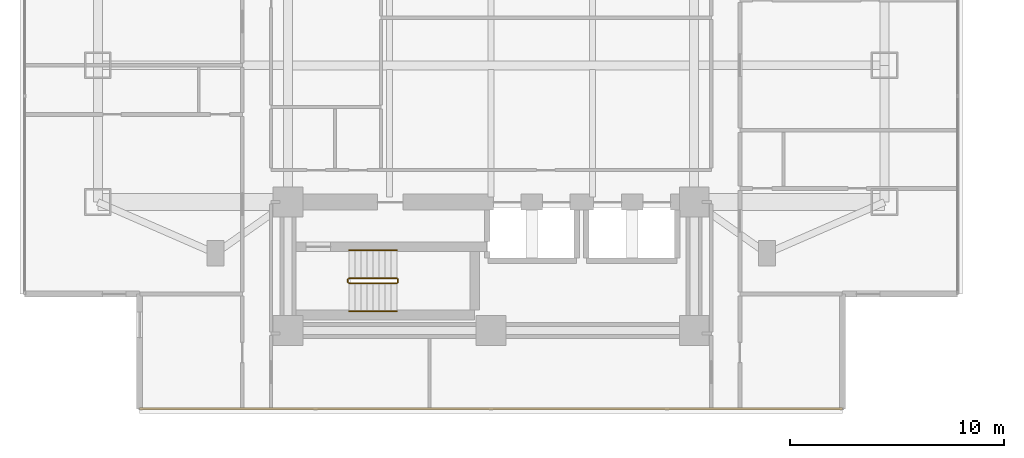
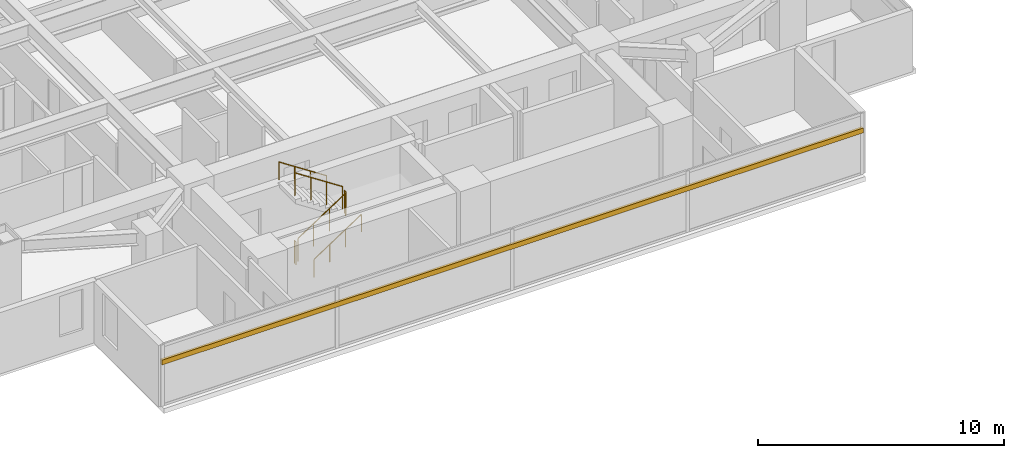
# One storey, part 21 of 25: 6 railings, 1 shading device.
"""IFC4 building model written with IfcOpenShell, lengths in metres."""

from ifc_helpers import new_model, si_unit, direction, frame, origin, origin_2d, place, context, subcontext, project, spatial, rectangle, circle, extrude, material, material_profile, profile_set, type_object, element, save


model = new_model("IFC4")

# Units and contexts
model_context = context("Model", 3, precision=1e-05, world=origin(), true_north=direction((0.0, 1.0)))
body_context = subcontext(model_context, "Body", "Model", "MODEL_VIEW")
ifc_project = project(units=[si_unit("LENGTHUNIT", "METRE"), si_unit("AREAUNIT", "SQUARE_METRE"), si_unit("VOLUMEUNIT", "CUBIC_METRE"), si_unit("PLANEANGLEUNIT", "RADIAN"), si_unit("MASSUNIT", "GRAM", prefix="KILO")], contexts=[model_context])

# Site, building, storey
site_placement = place(None, origin())
site = spatial("IfcSite", under=ifc_project, at=site_placement, CompositionType="ELEMENT")
building_placement = place(site_placement, origin())
building = spatial("IfcBuilding", under=site, at=building_placement, Name="Mirazonda Arch Towers", CompositionType="ELEMENT")
storey_placement = place(building_placement, frame((0.0, 0.0, 32.300048828125)))
storey = spatial("IfcBuildingStorey", under=building, at=storey_placement, Name="L08", CompositionType="ELEMENT", Elevation=32.300048828125)

# Shading device
ifc_material_1 = material(Name="Kiln-Fired Architectural Terracotta", Category="masonry")
ifc_material_profile = material_profile(ifc_material_1, rectangle(XDim=0.1201171875, YDim=0.239990234375, at=origin_2d()), Name="TERRA-BAG-120x240")
ifc_profile_set = profile_set([ifc_material_profile], Name="Kiln-Fired Architectural Terracotta")
shading_device_type = type_object("IfcShadingDeviceType", Name="BAGUETTE-1", PredefinedType="USERDEFINED", material=ifc_profile_set)
shading_device_placement = place(storey_placement, frame((36.93994140625, 8.72607421875, 2.188720703125), z_axis=(-1.0, 0.0, 0.0), x_axis=(0.0, -1.0, 0.0)))
element("IfcShadingDevice", 1, at=shading_device_placement, inside=storey, type_object=shading_device_type, Name="L08 Glazed Terracotta Sun-Screen Baguette CW-L08-T1-S", ObjectType="BAGUETTE", PredefinedType="USERDEFINED", context=body_context, shape_type="SweptSolid", body=[
    extrude(rectangle(XDim=0.1201171875, YDim=0.239990234375, at=origin_2d()), origin(), (0.0, 0.0, 1.0), 32.8798828125),
])

# Railings
ifc_material_2 = material(Name="Architectural Brushed Steel S355", Category="steel")
railing_type_1 = type_object("IfcRailingType", Name="GUARD-STAIR-1120", PredefinedType="GUARDRAIL", material=ifc_material_2)
railing_1_placement = place(storey_placement, frame((13.85009765625, 14.60009765625, 0.183349609375)))
element("IfcRailing", 2, at=railing_1_placement, inside=storey, type_object=railing_type_1, Name="L08 ST-T1S stair guard 1", PredefinedType="GUARDRAIL", context=body_context, shape_type="SweptSolid", body=[
    extrude(circle(Radius=0.02392578125, at=origin_2d()), frame((0.0, 0.0, 1.1259765625), z_axis=(0.836636935527, 0.0, 0.547757827979), x_axis=(0.0, 1.0, 0.0)), (0.0, 0.0, 1.0), 2.677490234375),
    extrude(circle(Radius=0.02099609375, at=origin_2d()), origin(), (0.0, 0.0, 1.0), 1.101806640625),
    extrude(circle(Radius=0.02099609375, at=origin_2d()), frame((0.74658203125, 0.0, 0.48876953125)), (0.0, 0.0, 1.0), 1.101806640625),
    extrude(circle(Radius=0.02099609375, at=origin_2d()), frame((1.493408203125, 0.0, 0.977783203125)), (0.0, 0.0, 1.0), 1.101806640625),
    extrude(circle(Radius=0.02099609375, at=origin_2d()), frame((2.239990234375, 0.0, 1.466552734375)), (0.0, 0.0, 1.0), 1.101806640625),
])
railing_2_placement = place(storey_placement, frame((16.139892578125, 14.64990234375, 1.64990234375)))
element("IfcRailing", 3, at=railing_2_placement, inside=storey, type_object=railing_type_1, Name="L08 ST-T1S stair guard 2", PredefinedType="GUARDRAIL", context=body_context, shape_type="SweptSolid", body=[
    extrude(circle(Radius=0.02392578125, at=origin_2d()), frame((0.0, 0.0, 1.1259765625), z_axis=(0.0, 1.0, 0.0), x_axis=(-1.0, 0.0, 0.0)), (0.0, 0.0, 1.0), 0.14013671875),
    extrude(circle(Radius=0.02099609375, at=origin_2d()), origin(), (0.0, 0.0, 1.0), 1.101806640625),
    extrude(circle(Radius=0.02099609375, at=origin_2d()), frame((0.0, 0.14013671875, 0.0)), (0.0, 0.0, 1.0), 1.101806640625),
])
railing_3_placement = place(storey_placement, frame((16.090087890625, 14.840087890625, 1.833251953125)))
element("IfcRailing", 4, at=railing_3_placement, inside=storey, type_object=railing_type_1, Name="L08 ST-T1S stair guard 3", PredefinedType="GUARDRAIL", context=body_context, shape_type="SweptSolid", body=[
    extrude(circle(Radius=0.02392578125, at=origin_2d()), frame((0.0, 0.0, 1.1259765625), z_axis=(-0.836595146698, 0.0, 0.547821650285), x_axis=(0.0, -1.0, 0.0)), (0.0, 0.0, 1.0), 2.677490234375),
    extrude(circle(Radius=0.02099609375, at=origin_2d()), origin(), (0.0, 0.0, 1.0), 1.101806640625),
    extrude(circle(Radius=0.02099609375, at=origin_2d()), frame((-0.74658203125, 0.0, 0.489013671875)), (0.0, 0.0, 1.0), 1.101806640625),
    extrude(circle(Radius=0.02099609375, at=origin_2d()), frame((-1.493408203125, 0.0, 0.977783203125)), (0.0, 0.0, 1.0), 1.101806640625),
    extrude(circle(Radius=0.02099609375, at=origin_2d()), frame((-2.239990234375, 0.0, 1.466796875)), (0.0, 0.0, 1.0), 1.101806640625),
])
railing_4_placement = place(storey_placement, frame((13.800048828125, 14.64990234375, 0.0)))
element("IfcRailing", 5, at=railing_4_placement, inside=storey, type_object=railing_type_1, Name="L08 ST-T1S stair guard 4", PredefinedType="GUARDRAIL", context=body_context, shape_type="SweptSolid", body=[
    extrude(circle(Radius=0.02392578125, at=origin_2d()), frame((0.0, 0.0, 1.1259765625), z_axis=(0.0, 1.0, 0.0), x_axis=(-1.0, 0.0, 0.0)), (0.0, 0.0, 1.0), 0.14013671875),
    extrude(circle(Radius=0.02099609375, at=origin_2d()), origin(), (0.0, 0.0, 1.0), 1.101806640625),
    extrude(circle(Radius=0.02099609375, at=origin_2d()), frame((0.0, 0.14013671875, 0.0)), (0.0, 0.0, 1.0), 1.101806640625),
])
railing_type_2 = type_object("IfcRailingType", Name="HANDRAIL-915", PredefinedType="HANDRAIL", material=ifc_material_2)
railing_5_placement = place(storey_placement, frame((13.85009765625, 13.300048828125, 0.183349609375)))
element("IfcRailing", 6, at=railing_5_placement, inside=storey, type_object=railing_type_2, Name="L08 ST-T1S stair handrail 1", PredefinedType="HANDRAIL", context=body_context, shape_type="SweptSolid", body=[
    extrude(circle(Radius=0.02392578125, at=origin_2d()), frame((0.0, 0.0, 0.8759765625), z_axis=(0.836636935527, 0.0, 0.547757827979), x_axis=(0.0, 1.0, 0.0)), (0.0, 0.0, 1.0), 2.677490234375),
    extrude(circle(Radius=0.02099609375, at=origin_2d()), origin(), (0.0, 0.0, 1.0), 0.851806640625),
    extrude(circle(Radius=0.02099609375, at=origin_2d()), frame((0.74658203125, 0.0, 0.48876953125)), (0.0, 0.0, 1.0), 0.851806640625),
    extrude(circle(Radius=0.02099609375, at=origin_2d()), frame((1.493408203125, 0.0, 0.977783203125)), (0.0, 0.0, 1.0), 0.851806640625),
    extrude(circle(Radius=0.02099609375, at=origin_2d()), frame((2.239990234375, 0.0, 1.466552734375)), (0.0, 0.0, 1.0), 0.851806640625),
])
railing_6_placement = place(storey_placement, frame((16.090087890625, 16.139892578125, 1.833251953125)))
element("IfcRailing", 7, at=railing_6_placement, inside=storey, type_object=railing_type_2, Name="L08 ST-T1S stair handrail 2", PredefinedType="HANDRAIL", context=body_context, shape_type="SweptSolid", body=[
    extrude(circle(Radius=0.02392578125, at=origin_2d()), frame((0.0, 0.0, 0.8759765625), z_axis=(-0.836595146698, 0.0, 0.547821650285), x_axis=(0.0, -1.0, 0.0)), (0.0, 0.0, 1.0), 2.677490234375),
    extrude(circle(Radius=0.02099609375, at=origin_2d()), origin(), (0.0, 0.0, 1.0), 0.851806640625),
    extrude(circle(Radius=0.02099609375, at=origin_2d()), frame((-0.74658203125, 0.0, 0.489013671875)), (0.0, 0.0, 1.0), 0.851806640625),
    extrude(circle(Radius=0.02099609375, at=origin_2d()), frame((-1.493408203125, 0.0, 0.977783203125)), (0.0, 0.0, 1.0), 0.851806640625),
    extrude(circle(Radius=0.02099609375, at=origin_2d()), frame((-2.239990234375, 0.0, 1.466796875)), (0.0, 0.0, 1.0), 0.851806640625),
])

save(model, "model.ifc")
